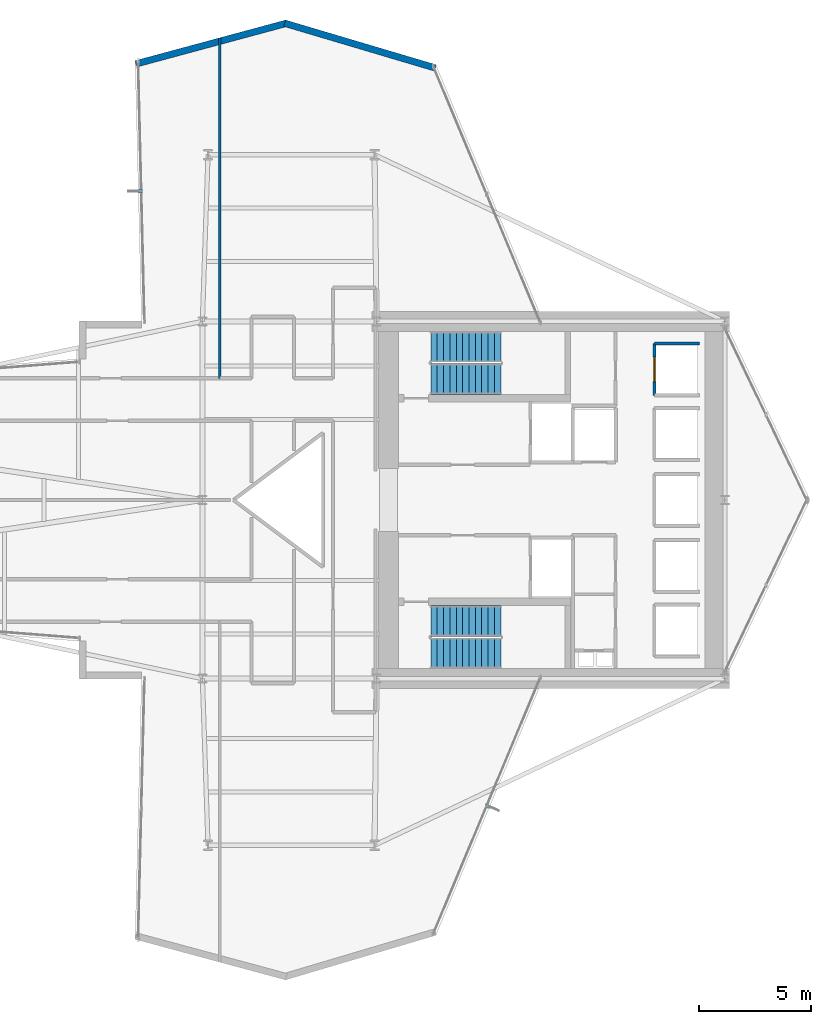
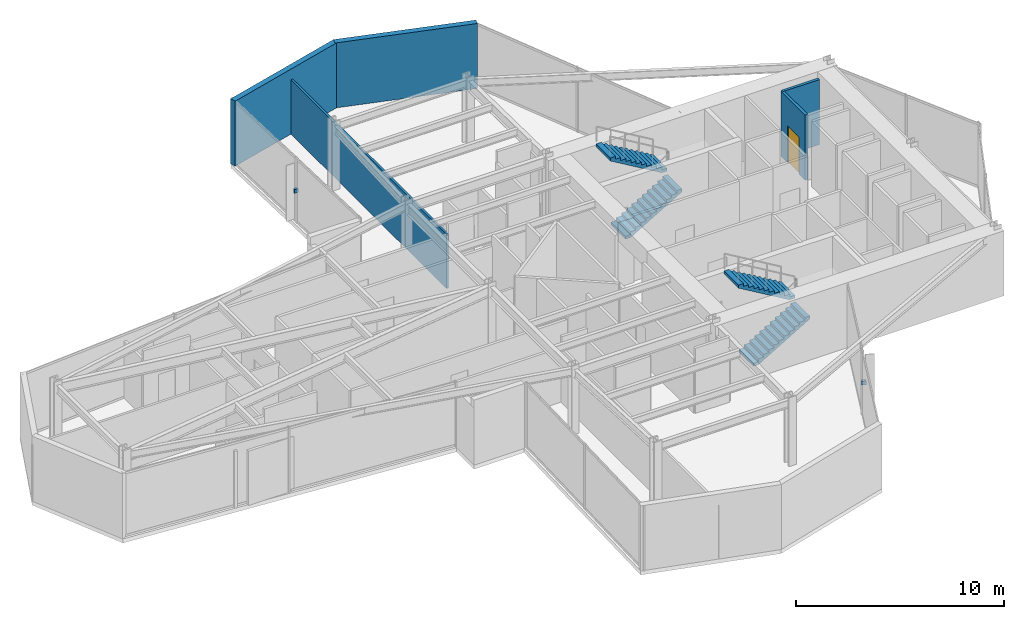
# One storey, part 23 of 24: 5 walls, 4 stair flights, 2 discrete accessories, 1 door, 1 opening, 2 elements without a shape of their own.
"""IFC4 building model written with IfcOpenShell, lengths in metres."""

from ifc_helpers import new_model, si_unit, direction, frame, frame_2d, origin, origin_2d, place, context, subcontext, project, spatial, polyline, rectangle, outline, extrude, material, layer, layer_set, type_object, element, fill, aggregate, save


model = new_model("IFC4")

# Units and contexts
model_context = context("Model", 3, precision=1e-05, world=origin(), true_north=direction((0.0, 1.0)))
body_context = subcontext(model_context, "Body", "Model", "MODEL_VIEW")
ifc_project = project(units=[si_unit("LENGTHUNIT", "METRE"), si_unit("AREAUNIT", "SQUARE_METRE"), si_unit("VOLUMEUNIT", "CUBIC_METRE"), si_unit("PLANEANGLEUNIT", "RADIAN"), si_unit("MASSUNIT", "GRAM", prefix="KILO")], contexts=[model_context])

# Site, building, storey
site_placement = place(None, origin())
site = spatial("IfcSite", under=ifc_project, at=site_placement, CompositionType="ELEMENT")
building_placement = place(site_placement, origin())
building = spatial("IfcBuilding", under=site, at=building_placement, Name="Veymaron Broadcast Tower", CompositionType="ELEMENT")
storey_placement = place(building_placement, frame((0.0, 0.0, 78.300048828125)))
storey = spatial("IfcBuildingStorey", under=building, at=storey_placement, Name="L17", CompositionType="ELEMENT", Elevation=78.300048828125)

# Walls
ifc_material_1 = material(Name="Precast concrete C40/50 with mineral-wool insulation", Category="concrete")
ifc_layer_1 = layer(ifc_material_1, 0.300048828125)
ifc_layer_set_1 = layer_set([ifc_layer_1], Name="Precast concrete C40/50 with mineral-wool insulation")
wall_type_1 = type_object("IfcWallType", Name="WALL-EXT-300", PredefinedType="STANDARD", material=ifc_layer_set_1)
wall_1_placement = place(storey_placement, frame((41.628173828125, 43.349853515625, 0.0), z_axis=(0.0, 0.0, 1.0), x_axis=(-0.958632659024, 0.284646140064, 0.0)))
element("IfcWall", 1, at=wall_1_placement, inside=storey, type_object=wall_type_1, Name="L17 notched corner facade pier 6-1", PredefinedType="STANDARD", context=body_context, shape_type="SweptSolid", body=[
    extrude(rectangle(XDim=7.033203125, YDim=0.300048828125, at=frame_2d((3.5166015625, 0.0))), origin(), (0.0, 0.0, 1.0), 3.81005859375),
])
wall_2_placement = place(storey_placement, frame((34.96240234375, 45.350830078125, 0.0), z_axis=(0.0, 0.0, 1.0), x_axis=(-0.965438319853, -0.260631637679, 0.0)))
element("IfcWall", 2, at=wall_2_placement, inside=storey, type_object=wall_type_1, Name="L17 notched corner facade pier 7-1", PredefinedType="STANDARD", context=body_context, shape_type="SweptSolid", body=[
    extrude(rectangle(XDim=6.9833984375, YDim=0.300048828125, at=frame_2d((3.49169921875, 0.0))), origin(), (0.0, 0.0, 1.0), 3.81005859375),
])

# Wall, opening, door
ifc_material_2 = material(Name="Gypsum fireboard and steel stud framing", Category="steel")
ifc_layer_2 = layer(ifc_material_2, 0.14990234375)
ifc_layer_set_2 = layer_set([ifc_layer_2], Name="Gypsum fireboard and steel stud framing")
wall_type_2 = type_object("IfcWallType", Name="WALL-FIRE-150", PredefinedType="PARTITIONING", material=ifc_layer_set_2)
wall_3_placement = place(storey_placement, frame((51.445068359375, 28.68994140625, 0.0), z_axis=(0.0, 0.0, 1.0), x_axis=(0.0, 1.0, 0.0)))
wall_3 = element("IfcWall", 3, at=wall_3_placement, inside=storey, type_object=wall_type_2, Name="L17 partition IW-L17-SHW-PL1", PredefinedType="PARTITIONING", context=body_context, shape_type="SweptSolid", body=[
    extrude(rectangle(XDim=2.320068359375, YDim=0.14990234375, at=frame_2d((1.16015625, 0.0))), origin(), (0.0, 0.0, 1.0), 3.81005859375),
])
opening_placement = place(wall_3_placement, frame((0.610107421875, 0.0, 0.0)))
opening = element("IfcOpeningElement", 4, at=opening_placement, cuts=wall_3, Name="Opening LD", PredefinedType="OPENING", context=body_context, shape_type="SweptSolid", body=[
    extrude(rectangle(XDim=1.10009765625, YDim=2.14990234375, at=frame_2d((0.550048828125, 1.074951171875))), frame((0.0, 0.0849609375, 0.0), z_axis=(0.0, -1.0, 0.0), x_axis=(1.0, 0.0, 0.0)), (0.0, 0.0, 1.0), 0.169921875),
])
ifc_material_3 = material(Name="Brushed stainless steel AISI 304", Category="steel")
door_type = type_object("IfcDoorType", Name="DOOR-LIFT-1100", OperationType="DOUBLE_DOOR_SLIDING", PredefinedType="DOOR", material=ifc_material_3)
door_placement = place(opening_placement, frame((1.10009765625, 0.0, 0.0), z_axis=(0.0, 0.0, 1.0), x_axis=(-1.0, 0.0, 0.0)))
door = element("IfcDoor", 5, at=door_placement, inside=storey, type_object=door_type, Name="L17 door LD-L17-PL1", OperationType="DOUBLE_DOOR_SLIDING", OverallHeight=2.14990234375, OverallWidth=1.10009765625, PredefinedType="DOOR", context=body_context, shape_type="SweptSolid", body=[
    extrude(rectangle(XDim=1.10009765625, YDim=2.14990234375, at=frame_2d((0.550048828125, 1.074951171875))), frame((0.0, 0.02490234375, 0.0), z_axis=(0.0, -1.0, 0.0), x_axis=(1.0, 0.0, 0.0)), (0.0, 0.0, 1.0), 0.050048828125),
])
fill(opening, door)

# Walls
wall_4_placement = place(storey_placement, frame((51.445068359375, 31.010009765625, 0.0), z_axis=(0.0, 0.0, 1.0), x_axis=(1.0, 0.0, 0.0)))
element("IfcWall", 6, at=wall_4_placement, inside=storey, type_object=wall_type_2, Name="L17 partition IW-L17-SHN-PL1", PredefinedType="PARTITIONING", context=body_context, shape_type="SweptSolid", body=[
    extrude(rectangle(XDim=2.014892578125, YDim=0.14990234375, at=frame_2d((1.00732421875, 0.0))), origin(), (0.0, 0.0, 1.0), 3.81005859375),
])
ifc_material_4 = material(Name="Acoustic gypsum board and galvanized stud", Category="gypsum")
ifc_layer_3 = layer(ifc_material_4, 0.1201171875)
ifc_layer_set_3 = layer_set([ifc_layer_3], Name="Acoustic gypsum board and galvanized stud")
wall_type_3 = type_object("IfcWallType", Name="WALL-PART-120", PredefinedType="PARTITIONING", material=ifc_layer_set_3)
wall_5_placement = place(storey_placement, frame((31.98388671875, 29.449951171875, 0.0), z_axis=(0.0, 0.0, 1.0), x_axis=(0.0, 1.0, 0.0)))
element("IfcWall", 7, at=wall_5_placement, inside=storey, type_object=wall_type_3, Name="L17 partition IW-L17-P40", PredefinedType="PARTITIONING", context=body_context, shape_type="SweptSolid", body=[
    extrude(rectangle(XDim=15.241943359375, YDim=0.1201171875, at=frame_2d((7.62109375, 0.0))), origin(), (0.0, 0.0, 1.0), 3.180908203125),
])

# Stair, stair flights
ifc_material_5 = material(Name="Concrete C50/60", Category="concrete")
stair_type_1 = type_object("IfcStairType", Name="STAIR-CORE-1", PredefinedType="HALF_TURN_STAIR", material=ifc_material_5)
stair_1_placement = place(storey_placement, origin())
stair_1 = element("IfcStair", 8, at=stair_1_placement, inside=storey, type_object=stair_type_1, Name="L17 North protected dog-leg exit stair ST1", PredefinedType="HALF_TURN_STAIR")
ifc_material_6 = material(Name="Precast concrete C50/60", Category="concrete")
stair_flight_type = type_object("IfcStairFlightType", Name="FLT-CORE-RC", PredefinedType="STRAIGHT", material=ifc_material_6)
stair_flight_1_placement = place(storey_placement, frame((41.429931640625, 29.419921875, 0.0), z_axis=(0.0, 0.0, 1.0), x_axis=(1.0, 0.0, 0.0)))
stair_flight_1 = element("IfcStairFlight", 9, at=stair_flight_1_placement, type_object=stair_flight_type, Name="ST1 flight 1", NumberOfRisers=12, NumberOfTreads=11, PredefinedType="STRAIGHT", RiserHeight=0.16875, TreadLength=0.285, context=body_context, shape_type="SweptSolid", body=[
    extrude(outline(polyline([(0.0, 0.0), (0.0, 0.168701171875), (0.284912109375, 0.168701171875), (0.284912109375, 0.33740234375), (0.570068359375, 0.33740234375), (0.570068359375, 0.50634765625), (0.85498046875, 0.50634765625), (0.85498046875, 0.675048828125), (1.139892578125, 0.675048828125), (1.139892578125, 0.84375), (1.425048828125, 0.84375), (1.425048828125, 1.012451171875), (1.7099609375, 1.012451171875), (1.7099609375, 1.18115234375), (1.9951171875, 1.18115234375), (1.9951171875, 1.35009765625), (2.280029296875, 1.35009765625), (2.280029296875, 1.518798828125), (2.56494140625, 1.518798828125), (2.56494140625, 1.6875), (2.85009765625, 1.6875), (2.85009765625, 1.856201171875), (3.135009765625, 1.856201171875), (3.135009765625, 2.02490234375), (3.135009765625, 1.68212890625), (0.294189453125, 0.0), (0.0, 0.0)])), frame((0.0, 0.68994140625, 0.0), z_axis=(0.0, -1.0, 0.0), x_axis=(1.0, 0.0, 0.0)), (0.0, 0.0, 1.0), 1.3798828125),
])
stair_flight_2_placement = place(storey_placement, frame((44.56494140625, 30.860107421875, 2.02490234375), z_axis=(0.0, 0.0, 1.0), x_axis=(-1.0, 0.0, 0.0)))
stair_flight_2 = element("IfcStairFlight", 10, at=stair_flight_2_placement, type_object=stair_flight_type, Name="ST1 flight 2", NumberOfRisers=12, NumberOfTreads=11, PredefinedType="STRAIGHT", RiserHeight=0.16875, TreadLength=0.285, context=body_context, shape_type="SweptSolid", body=[
    extrude(outline(polyline([(0.0, 0.0), (0.0, 0.168701171875), (0.284912109375, 0.168701171875), (0.284912109375, 0.33740234375), (0.570068359375, 0.33740234375), (0.570068359375, 0.50634765625), (0.85498046875, 0.50634765625), (0.85498046875, 0.675048828125), (1.139892578125, 0.675048828125), (1.139892578125, 0.84375), (1.425048828125, 0.84375), (1.425048828125, 1.012451171875), (1.7099609375, 1.012451171875), (1.7099609375, 1.18115234375), (1.9951171875, 1.18115234375), (1.9951171875, 1.35009765625), (2.280029296875, 1.35009765625), (2.280029296875, 1.518798828125), (2.56494140625, 1.518798828125), (2.56494140625, 1.6875), (2.85009765625, 1.6875), (2.85009765625, 1.856201171875), (3.135009765625, 1.856201171875), (3.135009765625, 2.02490234375), (3.135009765625, 1.68212890625), (0.294189453125, 0.0), (0.0, 0.0)])), frame((0.0, 0.68994140625, 0.0), z_axis=(0.0, -1.0, 0.0), x_axis=(1.0, 0.0, 0.0)), (0.0, 0.0, 1.0), 1.3798828125),
])
aggregate(stair_1, [stair_flight_1, stair_flight_2])

stair_type_2 = type_object("IfcStairType", Name="STAIR-CORE-2", PredefinedType="HALF_TURN_STAIR", material=ifc_material_5)
stair_2_placement = place(storey_placement, origin())
stair_2 = element("IfcStair", 11, at=stair_2_placement, inside=storey, type_object=stair_type_2, Name="L17 South protected dog-leg exit stair ST2", PredefinedType="HALF_TURN_STAIR")
stair_flight_3_placement = place(storey_placement, frame((41.429931640625, 17.139892578125, 0.0), z_axis=(0.0, 0.0, 1.0), x_axis=(1.0, 0.0, 0.0)))
stair_flight_3 = element("IfcStairFlight", 12, at=stair_flight_3_placement, type_object=stair_flight_type, Name="ST2 flight 1", NumberOfRisers=12, NumberOfTreads=11, PredefinedType="STRAIGHT", RiserHeight=0.16875, TreadLength=0.285, context=body_context, shape_type="SweptSolid", body=[
    extrude(outline(polyline([(0.0, 0.0), (0.0, 0.168701171875), (0.284912109375, 0.168701171875), (0.284912109375, 0.33740234375), (0.570068359375, 0.33740234375), (0.570068359375, 0.50634765625), (0.85498046875, 0.50634765625), (0.85498046875, 0.675048828125), (1.139892578125, 0.675048828125), (1.139892578125, 0.84375), (1.425048828125, 0.84375), (1.425048828125, 1.012451171875), (1.7099609375, 1.012451171875), (1.7099609375, 1.18115234375), (1.9951171875, 1.18115234375), (1.9951171875, 1.35009765625), (2.280029296875, 1.35009765625), (2.280029296875, 1.518798828125), (2.56494140625, 1.518798828125), (2.56494140625, 1.6875), (2.85009765625, 1.6875), (2.85009765625, 1.856201171875), (3.135009765625, 1.856201171875), (3.135009765625, 2.02490234375), (3.135009765625, 1.68212890625), (0.294189453125, 0.0), (0.0, 0.0)])), frame((0.0, 0.68994140625, 0.0), z_axis=(0.0, -1.0, 0.0), x_axis=(1.0, 0.0, 0.0)), (0.0, 0.0, 1.0), 1.3798828125),
])
stair_flight_4_placement = place(storey_placement, frame((44.56494140625, 18.580078125, 2.02490234375), z_axis=(0.0, 0.0, 1.0), x_axis=(-1.0, 0.0, 0.0)))
stair_flight_4 = element("IfcStairFlight", 13, at=stair_flight_4_placement, type_object=stair_flight_type, Name="ST2 flight 2", NumberOfRisers=12, NumberOfTreads=11, PredefinedType="STRAIGHT", RiserHeight=0.16875, TreadLength=0.285, context=body_context, shape_type="SweptSolid", body=[
    extrude(outline(polyline([(0.0, 0.0), (0.0, 0.168701171875), (0.284912109375, 0.168701171875), (0.284912109375, 0.33740234375), (0.570068359375, 0.33740234375), (0.570068359375, 0.50634765625), (0.85498046875, 0.50634765625), (0.85498046875, 0.675048828125), (1.139892578125, 0.675048828125), (1.139892578125, 0.84375), (1.425048828125, 0.84375), (1.425048828125, 1.012451171875), (1.7099609375, 1.012451171875), (1.7099609375, 1.18115234375), (1.9951171875, 1.18115234375), (1.9951171875, 1.35009765625), (2.280029296875, 1.35009765625), (2.280029296875, 1.518798828125), (2.56494140625, 1.518798828125), (2.56494140625, 1.6875), (2.85009765625, 1.6875), (2.85009765625, 1.856201171875), (3.135009765625, 1.856201171875), (3.135009765625, 2.02490234375), (3.135009765625, 1.68212890625), (0.294189453125, 0.0), (0.0, 0.0)])), frame((0.0, 0.68994140625, 0.0), z_axis=(0.0, -1.0, 0.0), x_axis=(1.0, 0.0, 0.0)), (0.0, 0.0, 1.0), 1.3798828125),
])
aggregate(stair_2, [stair_flight_3, stair_flight_4])

# Discrete accessories
ifc_material_7 = material(Name="Austenitic stainless steel AISI 316L", Category="steel")
ifc_layer_4 = layer(ifc_material_7, 0.1201171875)
ifc_layer_set_4 = layer_set([ifc_layer_4], Name="Austenitic stainless steel AISI 316L")
discrete_accessory_type = type_object("IfcDiscreteAccessoryType", Name="ACC-BRKT-SS1", PredefinedType="BRACKET", material=ifc_layer_set_4)
for number, where, z_axis, x_axis, name in (
    (14, (28.40625, 37.8349609375, 1.794921875), (0.0, 0.0, 1.0), (-0.999702767677, -0.024379833872, 0.0), "CW-L17-E8-1 fin bracket 1"),
    (15, (43.9931640625, 10.288818359375, 1.794921875), (0.0, 0.0, 1.0), (0.922713113072, -0.3854873681, 0.0), "CW-L17-E20-1 fin bracket 1"),
):
    element("IfcDiscreteAccessory", number, at=place(storey_placement, frame(where, z_axis=z_axis, x_axis=x_axis)), inside=storey, type_object=discrete_accessory_type, Name=name, PredefinedType="BRACKET", context=body_context, shape_type="SweptSolid", body=[
        extrude(rectangle(XDim=0.219970703125, YDim=0.139892578125, at=origin_2d()), origin(), (0.0, 0.0, 1.0), 0.219970703125),
    ])

save(model, "model.ifc")
